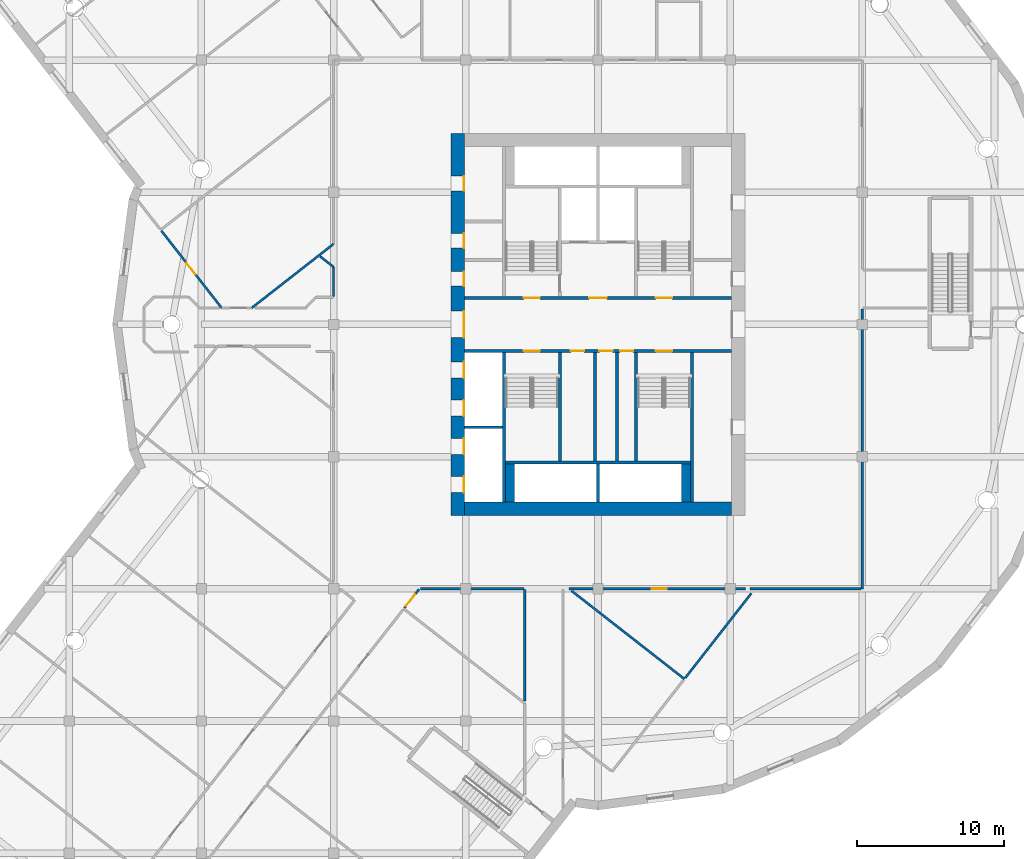
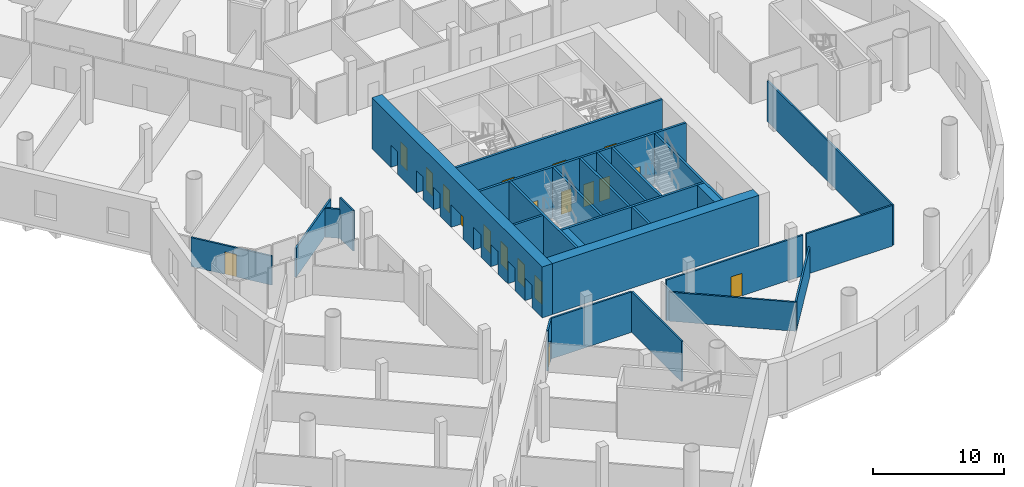
# One storey, part 7 of 22: 27 walls, 19 doors, 19 openings.
"""IFC4 building model written with IfcOpenShell, lengths in metres."""

from ifc_helpers import new_model, si_unit, direction, frame, frame_2d, origin, place, context, subcontext, project, spatial, rectangle, extrude, material, layer, layer_set, type_object, element, fill, save


model = new_model("IFC4")

# Units and contexts
model_context = context("Model", 3, precision=1e-05, world=origin(), true_north=direction((0.0, 1.0)))
body_context = subcontext(model_context, "Body", "Model", "MODEL_VIEW")
ifc_project = project(units=[si_unit("LENGTHUNIT", "METRE"), si_unit("AREAUNIT", "SQUARE_METRE"), si_unit("VOLUMEUNIT", "CUBIC_METRE"), si_unit("PLANEANGLEUNIT", "RADIAN"), si_unit("MASSUNIT", "GRAM", prefix="KILO")], contexts=[model_context])

# Site, building, storey
site_placement = place(None, origin())
site = spatial("IfcSite", under=ifc_project, at=site_placement, CompositionType="ELEMENT")
building_placement = place(site_placement, origin())
building = spatial("IfcBuilding", under=site, at=building_placement, Name="Tarsis Ring Headquarters", CompositionType="ELEMENT")
storey_placement = place(building_placement, frame((0.0, 0.0, 25.0)))
storey = spatial("IfcBuildingStorey", under=building, at=storey_placement, Name="L04", CompositionType="ELEMENT", Elevation=25.0)

# Walls
ifc_material_1 = material(Name="Blockwork", Category="masonry")
ifc_layer_1 = layer(ifc_material_1, 0.199951171875)
ifc_layer_set_1 = layer_set([ifc_layer_1], Name="Core blockwork wall 200")
wall_type_1 = type_object("IfcWallType", Name="Core blockwork wall 200", PredefinedType="PARTITIONING", material=ifc_layer_set_1)
for number, where, z_axis, x_axis, name in (
    (1, (-0.199951171875, -9.300048828125, 0.0), (0.0, 0.0, 1.0), (0.0, 1.0, 0.0), "Core partition SV1"),
    (2, (1.300048828125, -9.300048828125, 0.0), (0.0, 0.0, 1.0), (0.0, 1.0, 0.0), "Core partition SV2"),
):
    element("IfcWall", number, at=place(storey_placement, frame(where, z_axis=z_axis, x_axis=x_axis)), inside=storey, type_object=wall_type_1, Name=name, PredefinedType="PARTITIONING", context=body_context, shape_type="SweptSolid", body=[
        extrude(rectangle(XDim=7.400146484375, YDim=0.199951171875, at=frame_2d((3.7001953125, 0.0))), origin(), (0.0, 0.0, 1.0), 4.75),
    ])

# Wall, openings, doors
ifc_material_2 = material(Name="Concrete C60/75", Category="concrete")
ifc_layer_2 = layer(ifc_material_2, 0.89990234375)
ifc_layer_set_2 = layer_set([ifc_layer_2], Name="Core wall 900 C60/75")
wall_type_2 = type_object("IfcWallType", Name="Core wall 900 C60/75", PredefinedType="SHEAR", material=ifc_layer_set_2)
wall_1_placement = place(storey_placement, frame((-9.550048828125, -13.0, 0.0), z_axis=(0.0, 0.0, 1.0), x_axis=(0.0, 1.0, 0.0)))
wall_1 = element("IfcWall", 3, at=wall_1_placement, inside=storey, type_object=wall_type_2, Name="Core wall OW", PredefinedType="SHEAR", context=body_context, shape_type="SweptSolid", body=[
    extrude(rectangle(XDim=26.0, YDim=0.89990234375, at=frame_2d((13.0, 0.0))), origin(), (0.0, 0.0, 1.0), 4.75),
])
opening_1_placement = place(wall_1_placement, frame((1.550048828125, 0.0, 0.0)))
opening_1 = element("IfcOpeningElement", 4, at=opening_1_placement, cuts=wall_1, Name="Opening LD-LR1", PredefinedType="OPENING", context=body_context, shape_type="SweptSolid", body=[
    extrude(rectangle(XDim=1.10009765625, YDim=2.10009765625, at=frame_2d((0.550048828125, 1.050048828125))), frame((0.0, 0.4599609375, 0.0), z_axis=(0.0, -1.0, 0.0), x_axis=(1.0, 0.0, 0.0)), (0.0, 0.0, 1.0), 0.919921875),
])
opening_2_placement = place(wall_1_placement, frame((4.14990234375, 0.0, 0.0)))
opening_2 = element("IfcOpeningElement", 5, at=opening_2_placement, cuts=wall_1, Name="Opening LD-LR2", PredefinedType="OPENING", context=body_context, shape_type="SweptSolid", body=[
    extrude(rectangle(XDim=1.10009765625, YDim=2.10009765625, at=frame_2d((0.550048828125, 1.050048828125))), frame((0.0, 0.4599609375, 0.0), z_axis=(0.0, -1.0, 0.0), x_axis=(1.0, 0.0, 0.0)), (0.0, 0.0, 1.0), 0.919921875),
])
opening_3_placement = place(wall_1_placement, frame((6.75, 0.0, 0.0)))
opening_3 = element("IfcOpeningElement", 6, at=opening_3_placement, cuts=wall_1, Name="Opening LD-LR3", PredefinedType="OPENING", context=body_context, shape_type="SweptSolid", body=[
    extrude(rectangle(XDim=1.10009765625, YDim=2.10009765625, at=frame_2d((0.550048828125, 1.050048828125))), frame((0.0, 0.4599609375, 0.0), z_axis=(0.0, -1.0, 0.0), x_axis=(1.0, 0.0, 0.0)), (0.0, 0.0, 1.0), 0.919921875),
])
opening_4_placement = place(wall_1_placement, frame((9.35009765625, 0.0, 0.0)))
opening_4 = element("IfcOpeningElement", 7, at=opening_4_placement, cuts=wall_1, Name="Opening LD-LR4", PredefinedType="OPENING", context=body_context, shape_type="SweptSolid", body=[
    extrude(rectangle(XDim=1.10009765625, YDim=2.10009765625, at=frame_2d((0.550048828125, 1.050048828125))), frame((0.0, 0.4599609375, 0.0), z_axis=(0.0, -1.0, 0.0), x_axis=(1.0, 0.0, 0.0)), (0.0, 0.0, 1.0), 0.919921875),
])
opening_5_placement = place(wall_1_placement, frame((12.10009765625, 0.0, 0.0)))
opening_5 = element("IfcOpeningElement", 8, at=opening_5_placement, cuts=wall_1, Name="Opening L04-C05", PredefinedType="OPENING", context=body_context, shape_type="SweptSolid", body=[
    extrude(rectangle(XDim=1.800048828125, YDim=2.10009765625, at=frame_2d((0.89990234375, 1.050048828125))), frame((0.0, 0.4599609375, 0.0), z_axis=(0.0, -1.0, 0.0), x_axis=(1.0, 0.0, 0.0)), (0.0, 0.0, 1.0), 0.919921875),
])
opening_6_placement = place(wall_1_placement, frame((15.60009765625, 0.0, 0.0)))
opening_6 = element("IfcOpeningElement", 9, at=opening_6_placement, cuts=wall_1, Name="Opening L04-C06", PredefinedType="OPENING", context=body_context, shape_type="SweptSolid", body=[
    extrude(rectangle(XDim=1.0, YDim=2.10009765625, at=frame_2d((0.5, 1.050048828125))), frame((0.0, 0.4599609375, 0.0), z_axis=(0.0, -1.0, 0.0), x_axis=(1.0, 0.0, 0.0)), (0.0, 0.0, 1.0), 0.919921875),
])
opening_7_placement = place(wall_1_placement, frame((18.199951171875, 0.0, 0.0)))
opening_7 = element("IfcOpeningElement", 10, at=opening_7_placement, cuts=wall_1, Name="Opening L04-C07", PredefinedType="OPENING", context=body_context, shape_type="SweptSolid", body=[
    extrude(rectangle(XDim=1.0, YDim=2.10009765625, at=frame_2d((0.5, 1.050048828125))), frame((0.0, 0.4599609375, 0.0), z_axis=(0.0, -1.0, 0.0), x_axis=(1.0, 0.0, 0.0)), (0.0, 0.0, 1.0), 0.919921875),
])
opening_8_placement = place(wall_1_placement, frame((22.10009765625, 0.0, 0.0)))
opening_8 = element("IfcOpeningElement", 11, at=opening_8_placement, cuts=wall_1, Name="Opening L04-C08", PredefinedType="OPENING", context=body_context, shape_type="SweptSolid", body=[
    extrude(rectangle(XDim=1.0, YDim=2.10009765625, at=frame_2d((0.5, 1.050048828125))), frame((0.0, 0.4599609375, 0.0), z_axis=(0.0, -1.0, 0.0), x_axis=(1.0, 0.0, 0.0)), (0.0, 0.0, 1.0), 0.919921875),
])
ifc_material_3 = material(Name="Steel S355", Category="steel")
door_type_1 = type_object("IfcDoorType", Name="Core entry door 1800x2100", OperationType="DOUBLE_DOOR_SINGLE_SWING", PredefinedType="DOOR", material=ifc_material_3)
door_1_placement = place(opening_5_placement, origin())
door_1 = element("IfcDoor", 12, at=door_1_placement, inside=storey, type_object=door_type_1, Name="Core entry door L04", OperationType="DOUBLE_DOOR_SINGLE_SWING", OverallHeight=2.10009765625, OverallWidth=1.800048828125, PredefinedType="DOOR", context=body_context, shape_type="SweptSolid", body=[
    extrude(rectangle(XDim=1.800048828125, YDim=2.10009765625, at=frame_2d((0.89990234375, 1.050048828125))), frame((0.0, -0.39990234375, 0.0), z_axis=(0.0, -1.0, 0.0), x_axis=(1.0, 0.0, 0.0)), (0.0, 0.0, 1.0), 0.050048828125),
])
fill(opening_5, door_1)
door_type_2 = type_object("IfcDoorType", Name="Core room door 1000x2100", OperationType="SINGLE_SWING_LEFT", PredefinedType="DOOR", material=ifc_material_3)
door_2_placement = place(opening_6_placement, origin())
door_2 = element("IfcDoor", 13, at=door_2_placement, inside=storey, type_object=door_type_2, Name="Core room door L04", OperationType="SINGLE_SWING_LEFT", OverallHeight=2.10009765625, OverallWidth=1.0, PredefinedType="DOOR", context=body_context, shape_type="SweptSolid", body=[
    extrude(rectangle(XDim=1.0, YDim=2.10009765625, at=frame_2d((0.5, 1.050048828125))), frame((0.0, -0.39990234375, 0.0), z_axis=(0.0, -1.0, 0.0), x_axis=(1.0, 0.0, 0.0)), (0.0, 0.0, 1.0), 0.050048828125),
])
fill(opening_6, door_2)
door_3_placement = place(opening_7_placement, origin())
door_3 = element("IfcDoor", 14, at=door_3_placement, inside=storey, type_object=door_type_2, Name="Core room door L04", OperationType="SINGLE_SWING_LEFT", OverallHeight=2.10009765625, OverallWidth=1.0, PredefinedType="DOOR", context=body_context, shape_type="SweptSolid", body=[
    extrude(rectangle(XDim=1.0, YDim=2.10009765625, at=frame_2d((0.5, 1.050048828125))), frame((0.0, -0.39990234375, 0.0), z_axis=(0.0, -1.0, 0.0), x_axis=(1.0, 0.0, 0.0)), (0.0, 0.0, 1.0), 0.050048828125),
])
fill(opening_7, door_3)
door_4_placement = place(opening_8_placement, origin())
door_4 = element("IfcDoor", 15, at=door_4_placement, inside=storey, type_object=door_type_2, Name="Core room door L04", OperationType="SINGLE_SWING_LEFT", OverallHeight=2.10009765625, OverallWidth=1.0, PredefinedType="DOOR", context=body_context, shape_type="SweptSolid", body=[
    extrude(rectangle(XDim=1.0, YDim=2.10009765625, at=frame_2d((0.5, 1.050048828125))), frame((0.0, -0.39990234375, 0.0), z_axis=(0.0, -1.0, 0.0), x_axis=(1.0, 0.0, 0.0)), (0.0, 0.0, 1.0), 0.050048828125),
])
fill(opening_8, door_4)
door_type_3 = type_object("IfcDoorType", Name="Landing door 1100x2100", OperationType="SLIDING_TO_LEFT", PredefinedType="DOOR", material=ifc_material_3)
door_5_placement = place(opening_1_placement, origin())
door_5 = element("IfcDoor", 16, at=door_5_placement, inside=storey, type_object=door_type_3, Name="Landing door LR1 L04", OperationType="SLIDING_TO_LEFT", OverallHeight=2.10009765625, OverallWidth=1.10009765625, PredefinedType="DOOR", context=body_context, shape_type="SweptSolid", body=[
    extrude(rectangle(XDim=1.10009765625, YDim=2.10009765625, at=frame_2d((0.550048828125, 1.050048828125))), frame((0.0, -0.39990234375, 0.0), z_axis=(0.0, -1.0, 0.0), x_axis=(1.0, 0.0, 0.0)), (0.0, 0.0, 1.0), 0.050048828125),
])
fill(opening_1, door_5)
door_6_placement = place(opening_2_placement, origin())
door_6 = element("IfcDoor", 17, at=door_6_placement, inside=storey, type_object=door_type_3, Name="Landing door LR2 L04", OperationType="SLIDING_TO_LEFT", OverallHeight=2.10009765625, OverallWidth=1.10009765625, PredefinedType="DOOR", context=body_context, shape_type="SweptSolid", body=[
    extrude(rectangle(XDim=1.10009765625, YDim=2.10009765625, at=frame_2d((0.550048828125, 1.050048828125))), frame((0.0, -0.39990234375, 0.0), z_axis=(0.0, -1.0, 0.0), x_axis=(1.0, 0.0, 0.0)), (0.0, 0.0, 1.0), 0.050048828125),
])
fill(opening_2, door_6)
door_7_placement = place(opening_3_placement, origin())
door_7 = element("IfcDoor", 18, at=door_7_placement, inside=storey, type_object=door_type_3, Name="Landing door LR3 L04", OperationType="SLIDING_TO_LEFT", OverallHeight=2.10009765625, OverallWidth=1.10009765625, PredefinedType="DOOR", context=body_context, shape_type="SweptSolid", body=[
    extrude(rectangle(XDim=1.10009765625, YDim=2.10009765625, at=frame_2d((0.550048828125, 1.050048828125))), frame((0.0, -0.39990234375, 0.0), z_axis=(0.0, -1.0, 0.0), x_axis=(1.0, 0.0, 0.0)), (0.0, 0.0, 1.0), 0.050048828125),
])
fill(opening_3, door_7)
door_8_placement = place(opening_4_placement, origin())
door_8 = element("IfcDoor", 19, at=door_8_placement, inside=storey, type_object=door_type_3, Name="Landing door LR4 L04", OperationType="SLIDING_TO_LEFT", OverallHeight=2.10009765625, OverallWidth=1.10009765625, PredefinedType="DOOR", context=body_context, shape_type="SweptSolid", body=[
    extrude(rectangle(XDim=1.10009765625, YDim=2.10009765625, at=frame_2d((0.550048828125, 1.050048828125))), frame((0.0, -0.39990234375, 0.0), z_axis=(0.0, -1.0, 0.0), x_axis=(1.0, 0.0, 0.0)), (0.0, 0.0, 1.0), 0.050048828125),
])
fill(opening_4, door_8)

# Walls
wall_2_placement = place(storey_placement, frame((-9.10009765625, -12.550048828125, 0.0), z_axis=(0.0, 0.0, 1.0), x_axis=(1.0, 0.0, 0.0)))
element("IfcWall", 20, at=wall_2_placement, inside=storey, type_object=wall_type_2, Name="Core wall OS", PredefinedType="SHEAR", context=body_context, shape_type="SweptSolid", body=[
    extrude(rectangle(XDim=18.2001953125, YDim=0.89990234375, at=frame_2d((9.10009765625, 0.0))), origin(), (0.0, 0.0, 1.0), 4.75),
])
ifc_material_4 = material(Name="Plasterboard partition")
ifc_layer_3 = layer(ifc_material_4, 0.14990234375)
ifc_layer_set_3 = layer_set([ifc_layer_3], Name="PO-PW150")
wall_type_3 = type_object("IfcWallType", Name="PO-PW150", PredefinedType="PARTITIONING", material=ifc_layer_set_3)
wall_3_placement = place(storey_placement, frame((-1.801513671875, -18.135498046875, 0.0), z_axis=(0.0, 0.0, 1.0), x_axis=(0.78801071311, -0.615661527159, 0.0)))
element("IfcWall", 21, at=wall_3_placement, inside=storey, type_object=wall_type_3, Name="L04 partition wall 29", PredefinedType="PARTITIONING", context=body_context, shape_type="SweptSolid", body=[
    extrude(rectangle(XDim=9.75439453125, YDim=0.14990234375, at=frame_2d((4.877197265625, 0.0))), origin(), (0.0, 0.0, 1.0), 2.699951171875),
])
wall_4_placement = place(storey_placement, frame((10.441650390625, -18.31005859375, 0.0), z_axis=(0.0, 0.0, 1.0), x_axis=(-0.615652455891, -0.788017800278, 0.0)))
element("IfcWall", 22, at=wall_4_placement, inside=storey, type_object=wall_type_3, Name="L04 partition wall 46", PredefinedType="PARTITIONING", context=body_context, shape_type="SweptSolid", body=[
    extrude(rectangle(XDim=7.320068359375, YDim=0.14990234375, at=frame_2d((3.66015625, 0.0))), origin(), (0.0, 0.0, 1.0), 2.699951171875),
])
wall_5_placement = place(storey_placement, frame((-23.583984375, 1.1171875, 0.0), z_axis=(0.0, 0.0, 1.0), x_axis=(0.788020194993, 0.615649390711, 0.0)))
element("IfcWall", 23, at=wall_5_placement, inside=storey, type_object=wall_type_3, Name="L04 partition wall 48", PredefinedType="PARTITIONING", context=body_context, shape_type="SweptSolid", body=[
    extrude(rectangle(XDim=7.086181640625, YDim=0.14990234375, at=frame_2d((3.54296875, 0.0))), origin(), (0.0, 0.0, 1.0), 2.699951171875),
])

# Wall, opening, door
wall_6_placement = place(storey_placement, frame((-29.723388671875, 6.37109375, 0.0), z_axis=(0.0, 0.0, 1.0), x_axis=(0.615655411419, -0.788015491212, 0.0)))
wall_6 = element("IfcWall", 24, at=wall_6_placement, inside=storey, type_object=wall_type_3, Name="L04 partition wall 50", PredefinedType="PARTITIONING", context=body_context, shape_type="SweptSolid", body=[
    extrude(rectangle(XDim=6.667236328125, YDim=0.14990234375, at=frame_2d((3.33349609375, 0.0))), origin(), (0.0, 0.0, 1.0), 2.699951171875),
])
opening_9_placement = place(wall_6_placement, frame((2.766845703125, 0.0, 0.0)))
opening_9 = element("IfcOpeningElement", 25, at=opening_9_placement, cuts=wall_6, Name="Opening PO-D1A", PredefinedType="OPENING", context=body_context, shape_type="SweptSolid", body=[
    extrude(rectangle(XDim=1.0, YDim=2.10009765625, at=frame_2d((0.5, 1.050048828125))), frame((0.0, 0.0849609375, 0.0), z_axis=(0.0, -1.0, 0.0), x_axis=(1.0, 0.0, 0.0)), (0.0, 0.0, 1.0), 0.169921875),
])
ifc_material_5 = material(Name="Timber door", Category="wood")
door_type_4 = type_object("IfcDoorType", Name="PO-D1000-UNRATED", OperationType="NOTDEFINED", PredefinedType="DOOR", material=ifc_material_5)
door_9_placement = place(opening_9_placement, origin())
door_9 = element("IfcDoor", 26, at=door_9_placement, inside=storey, type_object=door_type_4, Name="Quiet room door", OperationType="SINGLE_SWING_LEFT", OverallHeight=2.10009765625, OverallWidth=1.0, PredefinedType="DOOR", context=body_context, shape_type="SweptSolid", body=[
    extrude(rectangle(XDim=1.0, YDim=2.10009765625, at=frame_2d((0.5, 1.050048828125))), frame((0.0, 0.02490234375, 0.0), z_axis=(0.0, -1.0, 0.0), x_axis=(1.0, 0.0, 0.0)), (0.0, 0.0, 1.0), 0.050048828125),
])
fill(opening_9, door_9)

# Walls
wall_7_placement = place(storey_placement, frame((-18.0, 3.910888671875, 0.0), z_axis=(0.0, 0.0, 1.0), x_axis=(-0.787970687084, 0.615712754697, 0.0)))
element("IfcWall", 27, at=wall_7_placement, inside=storey, type_object=wall_type_3, Name="L04 partition wall 129", PredefinedType="PARTITIONING", context=body_context, shape_type="SweptSolid", body=[
    extrude(rectangle(XDim=1.172119140625, YDim=0.14990234375, at=frame_2d((0.5859375, 0.0))), origin(), (0.0, 0.0, 1.0), 2.699951171875),
])
ifc_layer_4 = layer(ifc_material_4, 0.14990234375)
ifc_layer_set_4 = layer_set([ifc_layer_4], Name="PO-PW150R-3783")
wall_type_4 = type_object("IfcWallType", Name="PO-PW150R-3783", PredefinedType="PARTITIONING", material=ifc_layer_set_4)
wall_8_placement = place(storey_placement, frame((18.0, 1.050048828125, 0.0), z_axis=(0.0, 0.0, 1.0), x_axis=(0.0, -1.0, 0.0)))
element("IfcWall", 28, at=wall_8_placement, inside=storey, type_object=wall_type_4, Name="L04 partition wall 1", PredefinedType="PARTITIONING", context=body_context, shape_type="SweptSolid", body=[
    extrude(rectangle(XDim=19.050048828125, YDim=0.14990234375, at=frame_2d((9.52490234375, 0.0))), origin(), (0.0, 0.0, 1.0), 3.782958984375),
])

# Wall, opening, door
wall_9_placement = place(storey_placement, frame((10.044677734375, -18.0, 0.0), z_axis=(0.0, 0.0, 1.0), x_axis=(-1.0, 0.0, 0.0)))
wall_9 = element("IfcWall", 29, at=wall_9_placement, inside=storey, type_object=wall_type_4, Name="L04 partition wall 15", PredefinedType="PARTITIONING", context=body_context, shape_type="SweptSolid", body=[
    extrude(rectangle(XDim=12.01953125, YDim=0.14990234375, at=frame_2d((6.009765625, 0.0))), origin(), (0.0, 0.0, 1.0), 3.782958984375),
])
opening_10_placement = place(wall_9_placement, frame((5.3701171875, 0.0, 0.0)))
opening_10 = element("IfcOpeningElement", 30, at=opening_10_placement, cuts=wall_9, Name="Opening PO-D1", PredefinedType="OPENING", context=body_context, shape_type="SweptSolid", body=[
    extrude(rectangle(XDim=1.0, YDim=2.10009765625, at=frame_2d((0.5, 1.050048828125))), frame((0.0, 0.0849609375, 0.0), z_axis=(0.0, -1.0, 0.0), x_axis=(1.0, 0.0, 0.0)), (0.0, 0.0, 1.0), 0.169921875),
])
door_type_5 = type_object("IfcDoorType", Name="PO-D1000", OperationType="NOTDEFINED", PredefinedType="DOOR", material=ifc_material_5)
door_10_placement = place(opening_10_placement, origin())
door_10 = element("IfcDoor", 31, at=door_10_placement, inside=storey, type_object=door_type_5, Name="Nursery playroom door", OperationType="SINGLE_SWING_LEFT", OverallHeight=2.10009765625, OverallWidth=1.0, PredefinedType="DOOR", context=body_context, shape_type="SweptSolid", body=[
    extrude(rectangle(XDim=1.0, YDim=2.10009765625, at=frame_2d((0.5, 1.050048828125))), frame((0.0, 0.02490234375, 0.0), z_axis=(0.0, -1.0, 0.0), x_axis=(1.0, 0.0, 0.0)), (0.0, 0.0, 1.0), 0.050048828125),
])
fill(opening_10, door_10)

# Walls
wall_10_placement = place(storey_placement, frame((-4.979736328125, -25.644287109375, 0.0), z_axis=(0.0, 0.0, 1.0), x_axis=(0.0, 1.0, 0.0)))
element("IfcWall", 32, at=wall_10_placement, inside=storey, type_object=wall_type_4, Name="L04 partition wall 40", PredefinedType="PARTITIONING", context=body_context, shape_type="SweptSolid", body=[
    extrude(rectangle(XDim=7.604248046875, YDim=0.14990234375, at=frame_2d((3.80224609375, 0.0))), origin(), (0.0, 0.0, 1.0), 3.782958984375),
])
wall_11_placement = place(storey_placement, frame((17.919921875, -18.0, 0.0), z_axis=(0.0, 0.0, 1.0), x_axis=(-1.0, 0.0, 0.0)))
element("IfcWall", 33, at=wall_11_placement, inside=storey, type_object=wall_type_4, Name="L04 partition wall 43", PredefinedType="PARTITIONING", context=body_context, shape_type="SweptSolid", body=[
    extrude(rectangle(XDim=7.5634765625, YDim=0.14990234375, at=frame_2d((3.78173828125, 0.0))), origin(), (0.0, 0.0, 1.0), 3.782958984375),
])
wall_12_placement = place(storey_placement, frame((-5.039794921875, -18.0, 0.0), z_axis=(0.0, 0.0, 1.0), x_axis=(-1.0, 0.0, 0.0)))
element("IfcWall", 34, at=wall_12_placement, inside=storey, type_object=wall_type_4, Name="L04 partition wall 49", PredefinedType="PARTITIONING", context=body_context, shape_type="SweptSolid", body=[
    extrude(rectangle(XDim=7.059814453125, YDim=0.14990234375, at=frame_2d((3.52978515625, 0.0))), origin(), (0.0, 0.0, 1.0), 3.782958984375),
])
wall_13_placement = place(storey_placement, frame((-18.0, 1.909912109375, 0.0), z_axis=(0.0, 0.0, 1.0), x_axis=(0.0, 1.0, 0.0)))
element("IfcWall", 35, at=wall_13_placement, inside=storey, type_object=wall_type_4, Name="L04 partition wall 116", PredefinedType="PARTITIONING", context=body_context, shape_type="SweptSolid", body=[
    extrude(rectangle(XDim=2.0009765625, YDim=0.14990234375, at=frame_2d((1.00048828125, 0.0))), origin(), (0.0, 0.0, 1.0), 3.782958984375),
])

# Wall, opening, door
wall_14_placement = place(storey_placement, frame((-12.19091796875, -18.0400390625, 0.0), z_axis=(0.0, 0.0, 1.0), x_axis=(-0.615715160798, -0.787968806974, 0.0)))
wall_14 = element("IfcWall", 36, at=wall_14_placement, inside=storey, type_object=wall_type_4, Name="L04 partition wall 121", PredefinedType="PARTITIONING", context=body_context, shape_type="SweptSolid", body=[
    extrude(rectangle(XDim=1.5986328125, YDim=0.14990234375, at=frame_2d((0.79931640625, 0.0))), origin(), (0.0, 0.0, 1.0), 3.782958984375),
])
opening_11_placement = place(wall_14_placement, frame((0.44921875, 0.0, 0.0)))
opening_11 = element("IfcOpeningElement", 37, at=opening_11_placement, cuts=wall_14, Name="Opening PO-D1", PredefinedType="OPENING", context=body_context, shape_type="SweptSolid", body=[
    extrude(rectangle(XDim=1.0, YDim=2.10009765625, at=frame_2d((0.5, 1.050048828125))), frame((0.0, 0.0849609375, 0.0), z_axis=(0.0, -1.0, 0.0), x_axis=(1.0, 0.0, 0.0)), (0.0, 0.0, 1.0), 0.169921875),
])
door_11_placement = place(opening_11_placement, origin())
door_11 = element("IfcDoor", 38, at=door_11_placement, inside=storey, type_object=door_type_5, Name="Nursery sleep room door", OperationType="SINGLE_SWING_RIGHT", OverallHeight=2.10009765625, OverallWidth=1.0, PredefinedType="DOOR", context=body_context, shape_type="SweptSolid", body=[
    extrude(rectangle(XDim=1.0, YDim=2.10009765625, at=frame_2d((0.5, 1.050048828125))), frame((0.0, 0.02490234375, 0.0), z_axis=(0.0, -1.0, 0.0), x_axis=(1.0, 0.0, 0.0)), (0.0, 0.0, 1.0), 0.050048828125),
])
fill(opening_11, door_11)

# Walls
ifc_material_6 = material(Name="Concrete C32/40", Category="concrete")
ifc_layer_5 = layer(ifc_material_6, 0.60009765625)
ifc_layer_set_5 = layer_set([ifc_layer_5], Name="Shaft end wall 600 C32/40")
wall_type_5 = type_object("IfcWallType", Name="Shaft end wall 600 C32/40", PredefinedType="SOLIDWALL", material=ifc_layer_set_5)
for number, where, z_axis, x_axis, name in (
    (39, (-6.0, -12.10009765625, 0.0), (0.0, 0.0, 1.0), (0.0, 1.0, 0.0), "Core shaft wall SNE1"),
    (40, (6.0, -12.10009765625, 0.0), (0.0, 0.0, 1.0), (0.0, 1.0, 0.0), "Core shaft wall SNE2"),
):
    element("IfcWall", number, at=place(storey_placement, frame(where, z_axis=z_axis, x_axis=x_axis)), inside=storey, type_object=wall_type_5, Name=name, PredefinedType="SOLIDWALL", context=body_context, shape_type="SweptSolid", body=[
        extrude(rectangle(XDim=2.60009765625, YDim=0.60009765625, at=frame_2d((1.300048828125, 0.0))), origin(), (0.0, 0.0, 1.0), 4.75),
    ])

# Wall, openings, doors
ifc_layer_6 = layer(ifc_material_6, 0.199951171875)
ifc_layer_set_6 = layer_set([ifc_layer_6], Name="Shaft wall 200 C32/40")
wall_type_6 = type_object("IfcWallType", Name="Shaft wall 200 C32/40", PredefinedType="SOLIDWALL", material=ifc_layer_set_6)
wall_15_placement = place(storey_placement, frame((-9.10009765625, 1.800048828125, 0.0), z_axis=(0.0, 0.0, 1.0), x_axis=(1.0, 0.0, 0.0)))
wall_15 = element("IfcWall", 41, at=wall_15_placement, inside=storey, type_object=wall_type_6, Name="Core shaft wall CN", PredefinedType="SOLIDWALL", context=body_context, shape_type="SweptSolid", body=[
    extrude(rectangle(XDim=18.2001953125, YDim=0.199951171875, at=frame_2d((9.10009765625, 0.0))), origin(), (0.0, 0.0, 1.0), 4.75),
])
opening_12_placement = place(wall_15_placement, frame((4.050048828125, 0.0, 0.0)))
opening_12 = element("IfcOpeningElement", 42, at=opening_12_placement, cuts=wall_15, Name="Opening L04-C13", PredefinedType="OPENING", context=body_context, shape_type="SweptSolid", body=[
    extrude(rectangle(XDim=1.10009765625, YDim=2.10009765625, at=frame_2d((0.550048828125, 1.050048828125))), frame((0.0, 0.10986328125, 0.0), z_axis=(0.0, -1.0, 0.0), x_axis=(1.0, 0.0, 0.0)), (0.0, 0.0, 1.0), 0.219970703125),
])
opening_13_placement = place(wall_15_placement, frame((8.5, 0.0, 0.0)))
opening_13 = element("IfcOpeningElement", 43, at=opening_13_placement, cuts=wall_15, Name="Opening L04-C14", PredefinedType="OPENING", context=body_context, shape_type="SweptSolid", body=[
    extrude(rectangle(XDim=1.199951171875, YDim=2.10009765625, at=frame_2d((0.60009765625, 1.050048828125))), frame((0.0, 0.10986328125, 0.0), z_axis=(0.0, -1.0, 0.0), x_axis=(1.0, 0.0, 0.0)), (0.0, 0.0, 1.0), 0.219970703125),
])
opening_14_placement = place(wall_15_placement, frame((13.050048828125, 0.0, 0.0)))
opening_14 = element("IfcOpeningElement", 44, at=opening_14_placement, cuts=wall_15, Name="Opening L04-C15", PredefinedType="OPENING", context=body_context, shape_type="SweptSolid", body=[
    extrude(rectangle(XDim=1.10009765625, YDim=2.10009765625, at=frame_2d((0.550048828125, 1.050048828125))), frame((0.0, 0.10986328125, 0.0), z_axis=(0.0, -1.0, 0.0), x_axis=(1.0, 0.0, 0.0)), (0.0, 0.0, 1.0), 0.219970703125),
])
door_type_6 = type_object("IfcDoorType", Name="Firefighting lobby door 1200x2100", OperationType="DOUBLE_DOOR_SINGLE_SWING", PredefinedType="DOOR", material=ifc_material_3)
door_12_placement = place(opening_13_placement, origin())
door_12 = element("IfcDoor", 45, at=door_12_placement, inside=storey, type_object=door_type_6, Name="Firefighting lobby door L04", OperationType="DOUBLE_DOOR_SINGLE_SWING", OverallHeight=2.10009765625, OverallWidth=1.199951171875, PredefinedType="DOOR", context=body_context, shape_type="SweptSolid", body=[
    extrude(rectangle(XDim=1.199951171875, YDim=2.10009765625, at=frame_2d((0.60009765625, 1.050048828125))), frame((0.0, 0.02490234375, 0.0), z_axis=(0.0, -1.0, 0.0), x_axis=(1.0, 0.0, 0.0)), (0.0, 0.0, 1.0), 0.050048828125),
])
fill(opening_13, door_12)
door_type_7 = type_object("IfcDoorType", Name="Stair door 1100x2100", OperationType="SINGLE_SWING_LEFT", PredefinedType="DOOR", material=ifc_material_3)
door_13_placement = place(opening_12_placement, origin())
door_13 = element("IfcDoor", 46, at=door_13_placement, inside=storey, type_object=door_type_7, Name="Stair door L04", OperationType="SINGLE_SWING_LEFT", OverallHeight=2.10009765625, OverallWidth=1.10009765625, PredefinedType="DOOR", context=body_context, shape_type="SweptSolid", body=[
    extrude(rectangle(XDim=1.10009765625, YDim=2.10009765625, at=frame_2d((0.550048828125, 1.050048828125))), frame((0.0, 0.02490234375, 0.0), z_axis=(0.0, -1.0, 0.0), x_axis=(1.0, 0.0, 0.0)), (0.0, 0.0, 1.0), 0.050048828125),
])
fill(opening_12, door_13)
door_14_placement = place(opening_14_placement, origin())
door_14 = element("IfcDoor", 47, at=door_14_placement, inside=storey, type_object=door_type_7, Name="Stair door L04", OperationType="SINGLE_SWING_LEFT", OverallHeight=2.10009765625, OverallWidth=1.10009765625, PredefinedType="DOOR", context=body_context, shape_type="SweptSolid", body=[
    extrude(rectangle(XDim=1.10009765625, YDim=2.10009765625, at=frame_2d((0.550048828125, 1.050048828125))), frame((0.0, 0.02490234375, 0.0), z_axis=(0.0, -1.0, 0.0), x_axis=(1.0, 0.0, 0.0)), (0.0, 0.0, 1.0), 0.050048828125),
])
fill(opening_14, door_14)

wall_16_placement = place(storey_placement, frame((-9.10009765625, -1.800048828125, 0.0), z_axis=(0.0, 0.0, 1.0), x_axis=(1.0, 0.0, 0.0)))
wall_16 = element("IfcWall", 48, at=wall_16_placement, inside=storey, type_object=wall_type_6, Name="Core shaft wall CS", PredefinedType="SOLIDWALL", context=body_context, shape_type="SweptSolid", body=[
    extrude(rectangle(XDim=18.2001953125, YDim=0.199951171875, at=frame_2d((9.10009765625, 0.0))), origin(), (0.0, 0.0, 1.0), 4.75),
])
opening_15_placement = place(wall_16_placement, frame((4.050048828125, 0.0, 0.0)))
opening_15 = element("IfcOpeningElement", 49, at=opening_15_placement, cuts=wall_16, Name="Opening L04-C16", PredefinedType="OPENING", context=body_context, shape_type="SweptSolid", body=[
    extrude(rectangle(XDim=1.10009765625, YDim=2.10009765625, at=frame_2d((0.550048828125, 1.050048828125))), frame((0.0, 0.10986328125, 0.0), z_axis=(0.0, -1.0, 0.0), x_axis=(1.0, 0.0, 0.0)), (0.0, 0.0, 1.0), 0.219970703125),
])
opening_16_placement = place(wall_16_placement, frame((7.25, 0.0, 0.0)))
opening_16 = element("IfcOpeningElement", 50, at=opening_16_placement, cuts=wall_16, Name="Opening L04-C17", PredefinedType="OPENING", context=body_context, shape_type="SweptSolid", body=[
    extrude(rectangle(XDim=0.89990234375, YDim=2.10009765625, at=frame_2d((0.449951171875, 1.050048828125))), frame((0.0, 0.10986328125, 0.0), z_axis=(0.0, -1.0, 0.0), x_axis=(1.0, 0.0, 0.0)), (0.0, 0.0, 1.0), 0.219970703125),
])
opening_17_placement = place(wall_16_placement, frame((9.199951171875, 0.0, 0.0)))
opening_17 = element("IfcOpeningElement", 51, at=opening_17_placement, cuts=wall_16, Name="Opening L04-C18", PredefinedType="OPENING", context=body_context, shape_type="SweptSolid", body=[
    extrude(rectangle(XDim=0.89990234375, YDim=2.10009765625, at=frame_2d((0.449951171875, 1.050048828125))), frame((0.0, 0.10986328125, 0.0), z_axis=(0.0, -1.0, 0.0), x_axis=(1.0, 0.0, 0.0)), (0.0, 0.0, 1.0), 0.219970703125),
])
opening_18_placement = place(wall_16_placement, frame((10.60009765625, 0.0, 0.0)))
opening_18 = element("IfcOpeningElement", 52, at=opening_18_placement, cuts=wall_16, Name="Opening L04-C19", PredefinedType="OPENING", context=body_context, shape_type="SweptSolid", body=[
    extrude(rectangle(XDim=0.89990234375, YDim=2.10009765625, at=frame_2d((0.449951171875, 1.050048828125))), frame((0.0, 0.10986328125, 0.0), z_axis=(0.0, -1.0, 0.0), x_axis=(1.0, 0.0, 0.0)), (0.0, 0.0, 1.0), 0.219970703125),
])
opening_19_placement = place(wall_16_placement, frame((13.050048828125, 0.0, 0.0)))
opening_19 = element("IfcOpeningElement", 53, at=opening_19_placement, cuts=wall_16, Name="Opening L04-C20", PredefinedType="OPENING", context=body_context, shape_type="SweptSolid", body=[
    extrude(rectangle(XDim=1.10009765625, YDim=2.10009765625, at=frame_2d((0.550048828125, 1.050048828125))), frame((0.0, 0.10986328125, 0.0), z_axis=(0.0, -1.0, 0.0), x_axis=(1.0, 0.0, 0.0)), (0.0, 0.0, 1.0), 0.219970703125),
])
door_15_placement = place(opening_15_placement, origin())
door_15 = element("IfcDoor", 54, at=door_15_placement, inside=storey, type_object=door_type_7, Name="Stair door L04", OperationType="SINGLE_SWING_LEFT", OverallHeight=2.10009765625, OverallWidth=1.10009765625, PredefinedType="DOOR", context=body_context, shape_type="SweptSolid", body=[
    extrude(rectangle(XDim=1.10009765625, YDim=2.10009765625, at=frame_2d((0.550048828125, 1.050048828125))), frame((0.0, 0.02490234375, 0.0), z_axis=(0.0, -1.0, 0.0), x_axis=(1.0, 0.0, 0.0)), (0.0, 0.0, 1.0), 0.050048828125),
])
fill(opening_15, door_15)
door_16_placement = place(opening_19_placement, origin())
door_16 = element("IfcDoor", 55, at=door_16_placement, inside=storey, type_object=door_type_7, Name="Stair door L04", OperationType="SINGLE_SWING_LEFT", OverallHeight=2.10009765625, OverallWidth=1.10009765625, PredefinedType="DOOR", context=body_context, shape_type="SweptSolid", body=[
    extrude(rectangle(XDim=1.10009765625, YDim=2.10009765625, at=frame_2d((0.550048828125, 1.050048828125))), frame((0.0, 0.02490234375, 0.0), z_axis=(0.0, -1.0, 0.0), x_axis=(1.0, 0.0, 0.0)), (0.0, 0.0, 1.0), 0.050048828125),
])
fill(opening_19, door_16)
door_type_8 = type_object("IfcDoorType", Name="WC door 900x2100", OperationType="SINGLE_SWING_LEFT", PredefinedType="DOOR", material=ifc_material_3)
door_17_placement = place(opening_16_placement, origin())
door_17 = element("IfcDoor", 56, at=door_17_placement, inside=storey, type_object=door_type_8, Name="WC door L04", OperationType="SINGLE_SWING_LEFT", OverallHeight=2.10009765625, OverallWidth=0.89990234375, PredefinedType="DOOR", context=body_context, shape_type="SweptSolid", body=[
    extrude(rectangle(XDim=0.89990234375, YDim=2.10009765625, at=frame_2d((0.449951171875, 1.050048828125))), frame((0.0, 0.02490234375, 0.0), z_axis=(0.0, -1.0, 0.0), x_axis=(1.0, 0.0, 0.0)), (0.0, 0.0, 1.0), 0.050048828125),
])
fill(opening_16, door_17)
door_18_placement = place(opening_17_placement, origin())
door_18 = element("IfcDoor", 57, at=door_18_placement, inside=storey, type_object=door_type_8, Name="WC door L04", OperationType="SINGLE_SWING_LEFT", OverallHeight=2.10009765625, OverallWidth=0.89990234375, PredefinedType="DOOR", context=body_context, shape_type="SweptSolid", body=[
    extrude(rectangle(XDim=0.89990234375, YDim=2.10009765625, at=frame_2d((0.449951171875, 1.050048828125))), frame((0.0, 0.02490234375, 0.0), z_axis=(0.0, -1.0, 0.0), x_axis=(1.0, 0.0, 0.0)), (0.0, 0.0, 1.0), 0.050048828125),
])
fill(opening_17, door_18)
door_19_placement = place(opening_18_placement, origin())
door_19 = element("IfcDoor", 58, at=door_19_placement, inside=storey, type_object=door_type_8, Name="WC door L04", OperationType="SINGLE_SWING_LEFT", OverallHeight=2.10009765625, OverallWidth=0.89990234375, PredefinedType="DOOR", context=body_context, shape_type="SweptSolid", body=[
    extrude(rectangle(XDim=0.89990234375, YDim=2.10009765625, at=frame_2d((0.449951171875, 1.050048828125))), frame((0.0, 0.02490234375, 0.0), z_axis=(0.0, -1.0, 0.0), x_axis=(1.0, 0.0, 0.0)), (0.0, 0.0, 1.0), 0.050048828125),
])
fill(opening_18, door_19)

# Walls
for number, where, z_axis, x_axis, name in (
    (59, (-6.39990234375, -12.10009765625, 0.0), (0.0, 0.0, 1.0), (0.0, 1.0, 0.0), "Core shaft wall WB1"),
    (60, (6.39990234375, -12.10009765625, 0.0), (0.0, 0.0, 1.0), (0.0, 1.0, 0.0), "Core shaft wall EB1"),
):
    element("IfcWall", number, at=place(storey_placement, frame(where, z_axis=z_axis, x_axis=x_axis)), inside=storey, type_object=wall_type_6, Name=name, PredefinedType="SOLIDWALL", context=body_context, shape_type="SweptSolid", body=[
        extrude(rectangle(XDim=10.2001953125, YDim=0.199951171875, at=frame_2d((5.10009765625, 0.0))), origin(), (0.0, 0.0, 1.0), 4.75),
    ])
wall_17_placement = place(storey_placement, frame((-6.300048828125, -9.39990234375, 0.0), z_axis=(0.0, 0.0, 1.0), x_axis=(1.0, 0.0, 0.0)))
element("IfcWall", 61, at=wall_17_placement, inside=storey, type_object=wall_type_6, Name="Core shaft wall SB", PredefinedType="SOLIDWALL", context=body_context, shape_type="SweptSolid", body=[
    extrude(rectangle(XDim=12.60009765625, YDim=0.199951171875, at=frame_2d((6.300048828125, 0.0))), origin(), (0.0, 0.0, 1.0), 4.75),
])
for number, where, z_axis, x_axis, name in (
    (62, (-2.60009765625, -9.300048828125, 0.0), (0.0, 0.0, 1.0), (0.0, 1.0, 0.0), "Core shaft wall SW3"),
    (63, (2.60009765625, -9.300048828125, 0.0), (0.0, 0.0, 1.0), (0.0, 1.0, 0.0), "Core shaft wall SW4"),
):
    element("IfcWall", number, at=place(storey_placement, frame(where, z_axis=z_axis, x_axis=x_axis)), inside=storey, type_object=wall_type_6, Name=name, PredefinedType="SOLIDWALL", context=body_context, shape_type="SweptSolid", body=[
        extrude(rectangle(XDim=7.400146484375, YDim=0.199951171875, at=frame_2d((3.7001953125, 0.0))), origin(), (0.0, 0.0, 1.0), 4.75),
    ])
for number, where, z_axis, x_axis, name in (
    (64, (-9.10009765625, -7.0, 0.0), (0.0, 0.0, 1.0), (1.0, 0.0, 0.0), "Core shaft wall WD2"),
    (65, (0.0, -12.10009765625, 0.0), (0.0, 0.0, 1.0), (0.0, 1.0, 0.0), "Core shaft wall SD2"),
):
    element("IfcWall", number, at=place(storey_placement, frame(where, z_axis=z_axis, x_axis=x_axis)), inside=storey, type_object=wall_type_6, Name=name, PredefinedType="SOLIDWALL", context=body_context, shape_type="SweptSolid", body=[
        extrude(rectangle(XDim=2.60009765625, YDim=0.199951171875, at=frame_2d((1.300048828125, 0.0))), origin(), (0.0, 0.0, 1.0), 4.75),
    ])

save(model, "model.ifc")
